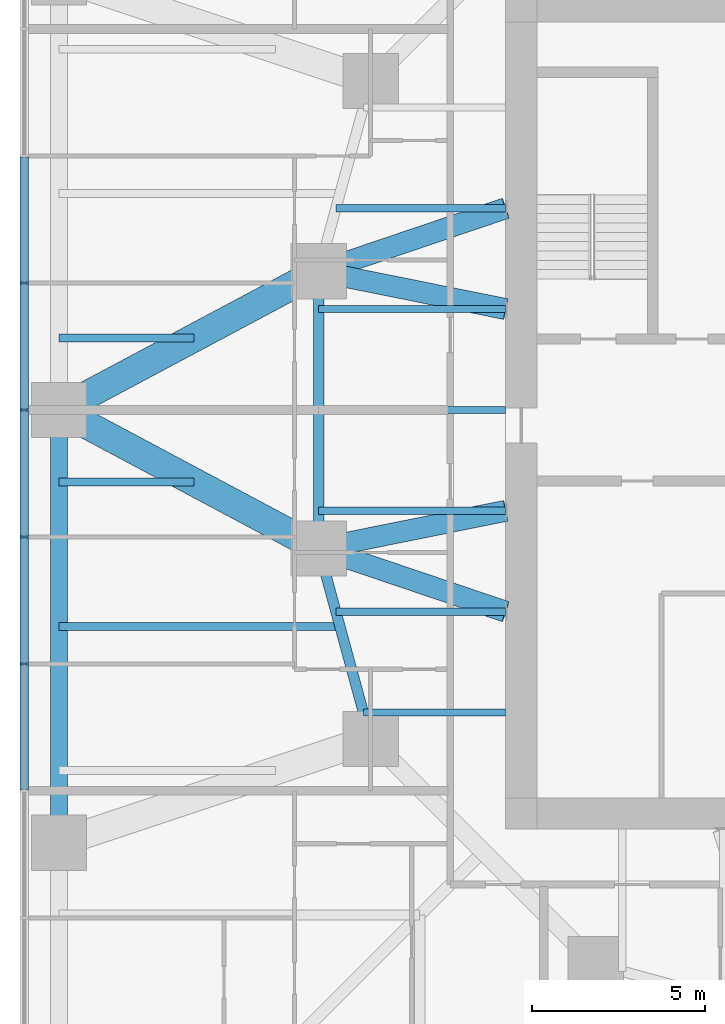
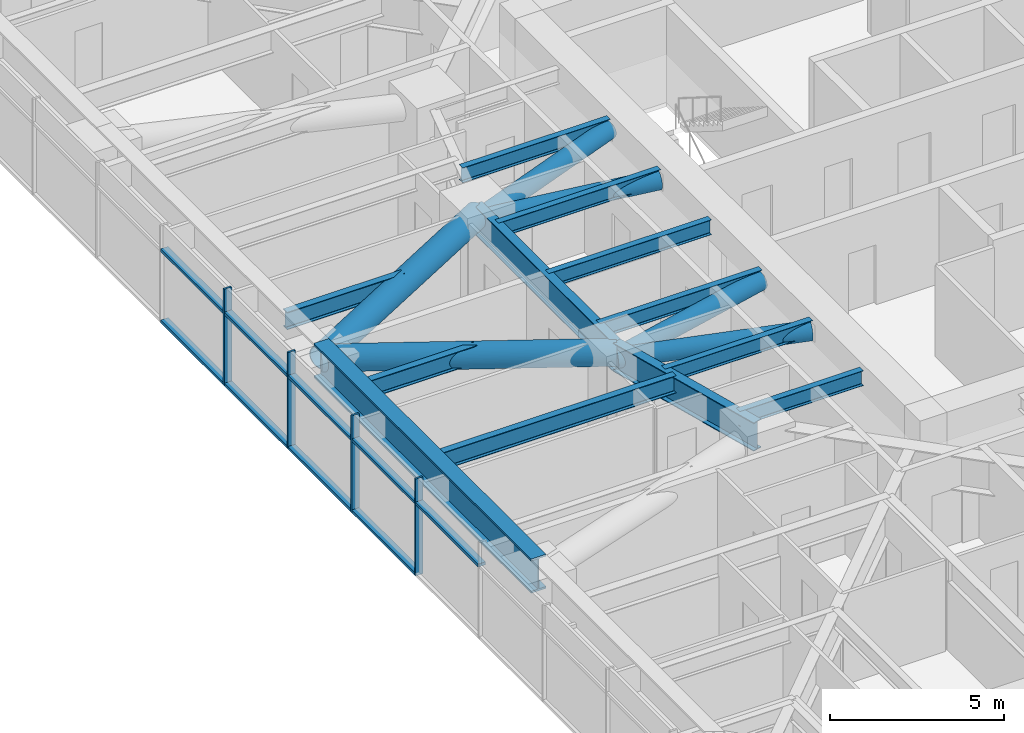
# One storey, part 3 of 17: 19 members, 12 beams, 1 element without a shape of its own.
"""IFC4 building model written with IfcOpenShell, lengths in metres."""

from ifc_helpers import new_model, si_unit, direction, frame, origin, origin_2d, place, context, subcontext, project, spatial, rectangle, hollow_circle, i_section, extrude, material, material_profile, profile_set, type_object, element, aggregate, save


model = new_model("IFC4")

# Units and contexts
model_context = context("Model", 3, precision=1e-05, world=origin(), true_north=direction((0.0, 1.0)))
body_context = subcontext(model_context, "Body", "Model", "MODEL_VIEW")
ifc_project = project(units=[si_unit("LENGTHUNIT", "METRE"), si_unit("AREAUNIT", "SQUARE_METRE"), si_unit("VOLUMEUNIT", "CUBIC_METRE"), si_unit("PLANEANGLEUNIT", "RADIAN"), si_unit("MASSUNIT", "GRAM", prefix="KILO")], contexts=[model_context])

# Site, building, storey
site_placement = place(None, origin())
site = spatial("IfcSite", under=ifc_project, at=site_placement, CompositionType="ELEMENT")
building_placement = place(site_placement, origin())
building = spatial("IfcBuilding", under=site, at=building_placement, Name="Torsade Residences", CompositionType="ELEMENT")
storey_placement = place(building_placement, frame((0.0, 0.0, 38.800048828125)))
storey = spatial("IfcBuildingStorey", under=building, at=storey_placement, Name="L10", CompositionType="ELEMENT", Elevation=38.800048828125)

# Curtain wall, members
ifc_material_1 = material(Name="Aluminium and glass", Category="aluminium")
curtain_wall_type = type_object("IfcCurtainWallType", Name="FRITTED GLASS CURTAIN WALL LOW ZONE", PredefinedType="NOTDEFINED", material=ifc_material_1)
curtain_wall_placement = place(storey_placement, origin())
curtain_wall = element("IfcCurtainWall", 1, at=curtain_wall_placement, inside=storey, type_object=curtain_wall_type, Name="Curtain wall L10 face 10", PredefinedType="NOTDEFINED")
ifc_material_2 = material(Name="Aluminium mullion", Category="aluminium")
ifc_material_profile_1 = material_profile(ifc_material_2, rectangle(XDim=0.25, YDim=0.06494140625, at=origin_2d()), Name="CURTAIN WALL MULLION 250x65")
ifc_profile_set_1 = profile_set([ifc_material_profile_1], Name="Aluminium mullion")
member_type_1 = type_object("IfcMemberType", Name="CURTAIN WALL MULLION 250x65", PredefinedType="MULLION", material=ifc_profile_set_1)
member_1_placement = place(storey_placement, frame((14.0, 33.666748046875, 0.0), z_axis=(0.0, 0.0, 1.0), x_axis=(1.0, 0.0, 0.0)))
member_1 = element("IfcMember", 2, at=member_1_placement, type_object=member_type_1, Name="Mullion 6", PredefinedType="MULLION", context=body_context, shape_type="SweptSolid", body=[
    extrude(rectangle(XDim=0.25, YDim=0.06494140625, at=origin_2d()), origin(), (0.0, 0.0, 1.0), 3.39990234375),
])
member_2_placement = place(storey_placement, frame((14.0, 30.0, 0.0), z_axis=(0.0, 0.0, 1.0), x_axis=(1.0, 0.0, 0.0)))
member_2 = element("IfcMember", 3, at=member_2_placement, type_object=member_type_1, Name="Mullion 7", PredefinedType="MULLION", context=body_context, shape_type="SweptSolid", body=[
    extrude(rectangle(XDim=0.25, YDim=0.06494140625, at=origin_2d()), origin(), (0.0, 0.0, 1.0), 3.39990234375),
])
member_3_placement = place(storey_placement, frame((14.0, 26.333251953125, 0.0), z_axis=(0.0, 0.0, 1.0), x_axis=(1.0, 0.0, 0.0)))
member_3 = element("IfcMember", 4, at=member_3_placement, type_object=member_type_1, Name="Mullion 8", PredefinedType="MULLION", context=body_context, shape_type="SweptSolid", body=[
    extrude(rectangle(XDim=0.25, YDim=0.06494140625, at=origin_2d()), origin(), (0.0, 0.0, 1.0), 3.39990234375),
])
member_4_placement = place(storey_placement, frame((14.0, 22.666748046875, 0.0), z_axis=(0.0, 0.0, 1.0), x_axis=(1.0, 0.0, 0.0)))
member_4 = element("IfcMember", 5, at=member_4_placement, type_object=member_type_1, Name="Mullion 9", PredefinedType="MULLION", context=body_context, shape_type="SweptSolid", body=[
    extrude(rectangle(XDim=0.25, YDim=0.06494140625, at=origin_2d()), origin(), (0.0, 0.0, 1.0), 3.39990234375),
])
ifc_material_3 = material(Name="Aluminium transom", Category="aluminium")
ifc_material_profile_2 = material_profile(ifc_material_3, rectangle(XDim=0.25, YDim=0.10009765625, at=origin_2d()), Name="CURTAIN WALL TRANSOM 250x100")
ifc_profile_set_2 = profile_set([ifc_material_profile_2], Name="Aluminium transom")
member_type_2 = type_object("IfcMemberType", Name="CURTAIN WALL TRANSOM 250x100", PredefinedType="USERDEFINED", material=ifc_profile_set_2)
member_5_placement = place(storey_placement, frame((14.0, 37.30078125, 0.050048828125), z_axis=(0.0, -1.0, 0.0), x_axis=(1.0, 0.0, 0.0)))
member_5 = element("IfcMember", 6, at=member_5_placement, type_object=member_type_2, Name="Transom 5.1", ObjectType="TRANSOM", PredefinedType="USERDEFINED", context=body_context, shape_type="SweptSolid", body=[
    extrude(rectangle(XDim=0.25, YDim=0.10009765625, at=origin_2d()), origin(), (0.0, 0.0, 1.0), 3.6015625),
])
member_6_placement = place(storey_placement, frame((14.0, 37.30078125, 2.550048828125), z_axis=(0.0, -1.0, 0.0), x_axis=(1.0, 0.0, 0.0)))
member_6 = element("IfcMember", 7, at=member_6_placement, type_object=member_type_2, Name="Transom 5.2", ObjectType="TRANSOM", PredefinedType="USERDEFINED", context=body_context, shape_type="SweptSolid", body=[
    extrude(rectangle(XDim=0.25, YDim=0.10009765625, at=origin_2d()), origin(), (0.0, 0.0, 1.0), 3.6015625),
])
member_7_placement = place(storey_placement, frame((14.0, 33.63427734375, 0.050048828125), z_axis=(0.0, -1.0, 0.0), x_axis=(1.0, 0.0, 0.0)))
member_7 = element("IfcMember", 8, at=member_7_placement, type_object=member_type_2, Name="Transom 6.1", ObjectType="TRANSOM", PredefinedType="USERDEFINED", context=body_context, shape_type="SweptSolid", body=[
    extrude(rectangle(XDim=0.25, YDim=0.10009765625, at=origin_2d()), origin(), (0.0, 0.0, 1.0), 3.601806640625),
])
member_8_placement = place(storey_placement, frame((14.0, 33.63427734375, 2.550048828125), z_axis=(0.0, -1.0, 0.0), x_axis=(1.0, 0.0, 0.0)))
member_8 = element("IfcMember", 9, at=member_8_placement, type_object=member_type_2, Name="Transom 6.2", ObjectType="TRANSOM", PredefinedType="USERDEFINED", context=body_context, shape_type="SweptSolid", body=[
    extrude(rectangle(XDim=0.25, YDim=0.10009765625, at=origin_2d()), origin(), (0.0, 0.0, 1.0), 3.601806640625),
])
member_9_placement = place(storey_placement, frame((14.0, 29.967529296875, 0.050048828125), z_axis=(0.0, -1.0, 0.0), x_axis=(1.0, 0.0, 0.0)))
member_9 = element("IfcMember", 10, at=member_9_placement, type_object=member_type_2, Name="Transom 7.1", ObjectType="TRANSOM", PredefinedType="USERDEFINED", context=body_context, shape_type="SweptSolid", body=[
    extrude(rectangle(XDim=0.25, YDim=0.10009765625, at=origin_2d()), origin(), (0.0, 0.0, 1.0), 3.601806640625),
])
member_10_placement = place(storey_placement, frame((14.0, 29.967529296875, 2.550048828125), z_axis=(0.0, -1.0, 0.0), x_axis=(1.0, 0.0, 0.0)))
member_10 = element("IfcMember", 11, at=member_10_placement, type_object=member_type_2, Name="Transom 7.2", ObjectType="TRANSOM", PredefinedType="USERDEFINED", context=body_context, shape_type="SweptSolid", body=[
    extrude(rectangle(XDim=0.25, YDim=0.10009765625, at=origin_2d()), origin(), (0.0, 0.0, 1.0), 3.601806640625),
])
member_11_placement = place(storey_placement, frame((14.0, 26.30078125, 0.050048828125), z_axis=(0.0, -1.0, 0.0), x_axis=(1.0, 0.0, 0.0)))
member_11 = element("IfcMember", 12, at=member_11_placement, type_object=member_type_2, Name="Transom 8.1", ObjectType="TRANSOM", PredefinedType="USERDEFINED", context=body_context, shape_type="SweptSolid", body=[
    extrude(rectangle(XDim=0.25, YDim=0.10009765625, at=origin_2d()), origin(), (0.0, 0.0, 1.0), 3.6015625),
])
member_12_placement = place(storey_placement, frame((14.0, 26.30078125, 2.550048828125), z_axis=(0.0, -1.0, 0.0), x_axis=(1.0, 0.0, 0.0)))
member_12 = element("IfcMember", 13, at=member_12_placement, type_object=member_type_2, Name="Transom 8.2", ObjectType="TRANSOM", PredefinedType="USERDEFINED", context=body_context, shape_type="SweptSolid", body=[
    extrude(rectangle(XDim=0.25, YDim=0.10009765625, at=origin_2d()), origin(), (0.0, 0.0, 1.0), 3.6015625),
])
member_13_placement = place(storey_placement, frame((14.0, 22.63427734375, 2.550048828125), z_axis=(0.0, -1.0, 0.0), x_axis=(1.0, 0.0, 0.0)))
member_13 = element("IfcMember", 14, at=member_13_placement, type_object=member_type_2, Name="Transom 9.2", ObjectType="TRANSOM", PredefinedType="USERDEFINED", context=body_context, shape_type="SweptSolid", body=[
    extrude(rectangle(XDim=0.25, YDim=0.10009765625, at=origin_2d()), origin(), (0.0, 0.0, 1.0), 3.601806640625),
])
aggregate(curtain_wall, [member_1, member_2, member_3, member_4, member_5, member_6, member_7, member_8, member_9, member_10, member_11, member_12, member_13])

# Beams
ifc_material_4 = material(Name="Steel grade 300", Category="steel")
ifc_material_profile_3 = material_profile(ifc_material_4, i_section(OverallWidth=0.208984375, OverallDepth=0.528076171875, WebThickness=0.009521484375, FlangeThickness=0.01318359375, FilletRadius=0.013916015625, at=origin_2d()), Name="530UB82.0")
ifc_profile_set_3 = profile_set([ifc_material_profile_3], Name="Steel grade 300")
beam_type_1 = type_object("IfcBeamType", Name="INNER FLOOR BEAM 530UB82.0", PredefinedType="JOIST", material=ifc_profile_set_3)
beam_1_placement = place(storey_placement, frame((27.89990234375, 35.824951171875, 2.93603515625), z_axis=(-1.0, 0.0, 0.0), x_axis=(0.0, -1.0, 0.0)))
element("IfcBeam", 15, at=beam_1_placement, inside=storey, type_object=beam_type_1, Name="Inner floor beam IW02 L11", PredefinedType="JOIST", context=body_context, shape_type="SweptSolid", body=[
    extrude(i_section(OverallWidth=0.208984375, OverallDepth=0.528076171875, WebThickness=0.009521484375, FlangeThickness=0.01318359375, FilletRadius=0.013916015625, at=origin_2d()), origin(), (0.0, 0.0, 1.0), 4.902099609375),
])
for number, where, z_axis, x_axis, name in (
    (16, (27.89990234375, 32.91259765625, 2.93603515625), (-1.0, 0.0, 0.0), (0.0, -1.0, 0.0), "Inner floor beam IW03 L11"),
    (17, (27.89990234375, 30.0, 2.93603515625), (-1.0, 0.0, 0.0), (0.0, -1.0, 0.0), "Inner floor beam IW04 L11"),
    (18, (27.89990234375, 27.08740234375, 2.93603515625), (-1.0, 0.0, 0.0), (0.0, -1.0, 0.0), "Inner floor beam IW05 L11"),
):
    element("IfcBeam", number, at=place(storey_placement, frame(where, z_axis=z_axis, x_axis=x_axis)), inside=storey, type_object=beam_type_1, Name=name, PredefinedType="JOIST", context=body_context, shape_type="SweptSolid", body=[
        extrude(i_section(OverallWidth=0.208984375, OverallDepth=0.528076171875, WebThickness=0.009521484375, FlangeThickness=0.01318359375, FilletRadius=0.013916015625, at=origin_2d()), origin(), (0.0, 0.0, 1.0), 5.39990234375),
    ])
beam_2_placement = place(storey_placement, frame((27.89990234375, 24.175048828125, 2.93603515625), z_axis=(-1.0, 0.0, 0.0), x_axis=(0.0, -1.0, 0.0)))
element("IfcBeam", 19, at=beam_2_placement, inside=storey, type_object=beam_type_1, Name="Inner floor beam IW06 L11", PredefinedType="JOIST", context=body_context, shape_type="SweptSolid", body=[
    extrude(i_section(OverallWidth=0.208984375, OverallDepth=0.528076171875, WebThickness=0.009521484375, FlangeThickness=0.01318359375, FilletRadius=0.013916015625, at=origin_2d()), origin(), (0.0, 0.0, 1.0), 4.902099609375),
])
beam_3_placement = place(storey_placement, frame((27.89990234375, 21.262451171875, 2.93603515625), z_axis=(-1.0, 0.0, 0.0), x_axis=(0.0, -1.0, 0.0)))
element("IfcBeam", 20, at=beam_3_placement, inside=storey, type_object=beam_type_1, Name="Inner floor beam IW07 L11", PredefinedType="JOIST", context=body_context, shape_type="SweptSolid", body=[
    extrude(i_section(OverallWidth=0.208984375, OverallDepth=0.528076171875, WebThickness=0.009521484375, FlangeThickness=0.01318359375, FilletRadius=0.013916015625, at=origin_2d()), origin(), (0.0, 0.0, 1.0), 4.10791015625),
])
ifc_material_5 = material(Name="Steel grade 300", Category="steel")
ifc_material_profile_4 = material_profile(ifc_material_5, i_section(OverallWidth=0.300048828125, OverallDepth=1.0, WebThickness=0.01611328125, FlangeThickness=0.028076171875, at=origin_2d()), Name="1000WB215")
ifc_profile_set_4 = profile_set([ifc_material_profile_4], Name="Steel grade 300")
beam_type_2 = type_object("IfcBeamType", Name="RING GIRDER 1000WB215", PredefinedType="BEAM", material=ifc_profile_set_4)
beam_4_placement = place(storey_placement, frame((22.5, 34.0, 2.699951171875), z_axis=(0.0, -1.0, 0.0), x_axis=(1.0, 0.0, 0.0)))
element("IfcBeam", 21, at=beam_4_placement, inside=storey, type_object=beam_type_2, Name="Ring girder IR09 L11", PredefinedType="BEAM", context=body_context, shape_type="SweptSolid", body=[
    extrude(i_section(OverallWidth=0.300048828125, OverallDepth=1.0, WebThickness=0.01611328125, FlangeThickness=0.028076171875, at=origin_2d()), origin(), (0.0, 0.0, 1.0), 8.0),
])
beam_5_placement = place(storey_placement, frame((22.5, 26.0, 2.699951171875), z_axis=(0.263117405792, -0.964763821238, 0.0), x_axis=(0.964763821238, 0.263117405792, 0.0)))
element("IfcBeam", 22, at=beam_5_placement, inside=storey, type_object=beam_type_2, Name="Ring girder IR10 L11", PredefinedType="BEAM", context=body_context, shape_type="SweptSolid", body=[
    extrude(i_section(OverallWidth=0.300048828125, OverallDepth=1.0, WebThickness=0.01611328125, FlangeThickness=0.028076171875, at=origin_2d()), origin(), (0.0, 0.0, 1.0), 5.700927734375),
])
ifc_material_6 = material(Name="Steel grade 300", Category="steel")
ifc_material_profile_5 = material_profile(ifc_material_6, i_section(OverallWidth=0.22900390625, OverallDepth=0.612060546875, WebThickness=0.011962890625, FlangeThickness=0.01953125, FilletRadius=0.013916015625, at=origin_2d()), Name="610UB125")
ifc_profile_set_5 = profile_set([ifc_material_profile_5], Name="Steel grade 300")
beam_type_3 = type_object("IfcBeamType", Name="SECONDARY BEAM 610UB125", PredefinedType="JOIST", material=ifc_profile_set_5)
for number, where, z_axis, x_axis, name in (
    (23, (15.0, 32.083251953125, 2.89404296875), (1.0, 0.0, 0.0), (0.0, 1.0, 0.0), "Floor beam FW06 L11"),
    (24, (15.0, 27.916748046875, 2.89404296875), (1.0, 0.0, 0.0), (0.0, 1.0, 0.0), "Floor beam FW07 L11"),
):
    element("IfcBeam", number, at=place(storey_placement, frame(where, z_axis=z_axis, x_axis=x_axis)), inside=storey, type_object=beam_type_3, Name=name, PredefinedType="JOIST", context=body_context, shape_type="SweptSolid", body=[
        extrude(i_section(OverallWidth=0.22900390625, OverallDepth=0.612060546875, WebThickness=0.011962890625, FlangeThickness=0.01953125, FilletRadius=0.013916015625, at=origin_2d()), origin(), (0.0, 0.0, 1.0), 3.90625),
    ])
beam_6_placement = place(storey_placement, frame((15.0, 23.75, 2.89404296875), z_axis=(1.0, 0.0, 0.0), x_axis=(0.0, 1.0, 0.0)))
element("IfcBeam", 25, at=beam_6_placement, inside=storey, type_object=beam_type_3, Name="Floor beam FW08 L11", PredefinedType="JOIST", context=body_context, shape_type="SweptSolid", body=[
    extrude(i_section(OverallWidth=0.22900390625, OverallDepth=0.612060546875, WebThickness=0.011962890625, FlangeThickness=0.01953125, FilletRadius=0.013916015625, at=origin_2d()), origin(), (0.0, 0.0, 1.0), 8.113525390625),
])

# Members
ifc_material_7 = material(Name="Steel grade 450", Category="steel")
ifc_material_profile_6 = material_profile(ifc_material_7, hollow_circle(Radius=0.304931640625, WallThickness=0.01611328125, at=origin_2d()), Name="610.0x16.0CHS")
ifc_profile_set_6 = profile_set([ifc_material_profile_6], Name="Steel grade 450")
member_type_3 = type_object("IfcMemberType", Name="TRANSFER FLOOR BRACE 610.0x16.0CHS", PredefinedType="BRACE", material=ifc_profile_set_6)
member_14_placement = place(storey_placement, frame((22.5, 34.0, 2.599853515625), z_axis=(0.97976207845, -0.197299045909, 0.03375434957), x_axis=(0.197411538983, 0.980320704809, 0.0)))
element("IfcMember", 26, at=member_14_placement, inside=storey, type_object=member_type_3, Name="Transfer floor brace TT1 bottom IR09IW03", PredefinedType="BRACE", context=body_context, shape_type="SweptSolid", body=[
    extrude(hollow_circle(Radius=0.304931640625, WallThickness=0.01611328125, at=origin_2d()), origin(), (0.0, 0.0, 1.0), 5.511474609375),
])
member_15_placement = place(storey_placement, frame((22.5, 34.0, 2.599853515625), z_axis=(0.946855969774, 0.319999474368, 0.032620682203), x_axis=(-0.320169867513, 0.947360151124, 0.0)))
element("IfcMember", 27, at=member_15_placement, inside=storey, type_object=member_type_3, Name="Transfer floor brace TT1 bottom IR09IW02", PredefinedType="BRACE", context=body_context, shape_type="SweptSolid", body=[
    extrude(hollow_circle(Radius=0.304931640625, WallThickness=0.01611328125, at=origin_2d()), origin(), (0.0, 0.0, 1.0), 5.702880859375),
])
member_16_placement = place(storey_placement, frame((22.5, 26.0, 2.599853515625), z_axis=(0.97976207845, 0.197299045909, 0.03375434957), x_axis=(-0.197411538983, 0.980320704809, 0.0)))
element("IfcMember", 28, at=member_16_placement, inside=storey, type_object=member_type_3, Name="Transfer floor brace TT1 bottom IR10IW05", PredefinedType="BRACE", context=body_context, shape_type="SweptSolid", body=[
    extrude(hollow_circle(Radius=0.304931640625, WallThickness=0.01611328125, at=origin_2d()), origin(), (0.0, 0.0, 1.0), 5.511474609375),
])
member_17_placement = place(storey_placement, frame((22.5, 26.0, 2.599853515625), z_axis=(0.946855969774, -0.319999474368, 0.032620682203), x_axis=(0.320169867513, 0.947360151124, 0.0)))
element("IfcMember", 29, at=member_17_placement, inside=storey, type_object=member_type_3, Name="Transfer floor brace TT1 bottom IR10IW06", PredefinedType="BRACE", context=body_context, shape_type="SweptSolid", body=[
    extrude(hollow_circle(Radius=0.304931640625, WallThickness=0.01611328125, at=origin_2d()), origin(), (0.0, 0.0, 1.0), 5.702880859375),
])
ifc_material_8 = material(Name="Steel grade 450", Category="steel")
ifc_material_profile_7 = material_profile(ifc_material_8, hollow_circle(Radius=0.406494140625, WallThickness=0.02490234375, at=origin_2d()), Name="813.0x25.0CHS")
ifc_profile_set_7 = profile_set([ifc_material_profile_7], Name="Steel grade 450")
member_type_4 = type_object("IfcMemberType", Name="TRANSFER FLOOR STRUT 813.0x25.0CHS", PredefinedType="STRUT", material=ifc_profile_set_7)
for number, where, z_axis, x_axis, name in (
    (30, (15.0, 30.0, 2.800048828125), (0.882352941176, 0.470588235294, 0.0), (-0.470588235294, 0.882352941176, 0.0), "Transfer floor strut TT1 bottom 15IR09"),
    (31, (15.0, 30.0, 2.800048828125), (0.882352941176, -0.470588235294, 0.0), (0.470588235294, 0.882352941176, 0.0), "Transfer floor strut TT1 bottom 15IR10"),
):
    element("IfcMember", number, at=place(storey_placement, frame(where, z_axis=z_axis, x_axis=x_axis)), inside=storey, type_object=member_type_4, Name=name, PredefinedType="STRUT", context=body_context, shape_type="SweptSolid", body=[
        extrude(hollow_circle(Radius=0.406494140625, WallThickness=0.02490234375, at=origin_2d()), origin(), (0.0, 0.0, 1.0), 8.5),
    ])

# Beam
ifc_material_9 = material(Name="Steel grade 350", Category="steel")
ifc_material_profile_8 = material_profile(ifc_material_9, i_section(OverallWidth=0.5, OverallDepth=1.199951171875, WebThickness=0.0400390625, FlangeThickness=0.070068359375, at=origin_2d()), Name="1200x500x70x40WPG")
ifc_profile_set_8 = profile_set([ifc_material_profile_8], Name="Steel grade 350")
beam_type_4 = type_object("IfcBeamType", Name="TRANSFER TRUSS CHORD 1200x500x70x40WPG", PredefinedType="USERDEFINED", material=ifc_profile_set_8)
beam_7_placement = place(storey_placement, frame((15.0, 30.0, 2.800048828125), z_axis=(0.0, -1.0, 0.0), x_axis=(1.0, 0.0, 0.0)))
element("IfcBeam", 32, at=beam_7_placement, inside=storey, type_object=beam_type_4, Name="Transfer truss TT1 bottom chord 15", ObjectType="TRANSFER TRUSS CHORD", PredefinedType="USERDEFINED", context=body_context, shape_type="SweptSolid", body=[
    extrude(i_section(OverallWidth=0.5, OverallDepth=1.199951171875, WebThickness=0.0400390625, FlangeThickness=0.070068359375, at=origin_2d()), origin(), (0.0, 0.0, 1.0), 12.5),
])

save(model, "model.ifc")
